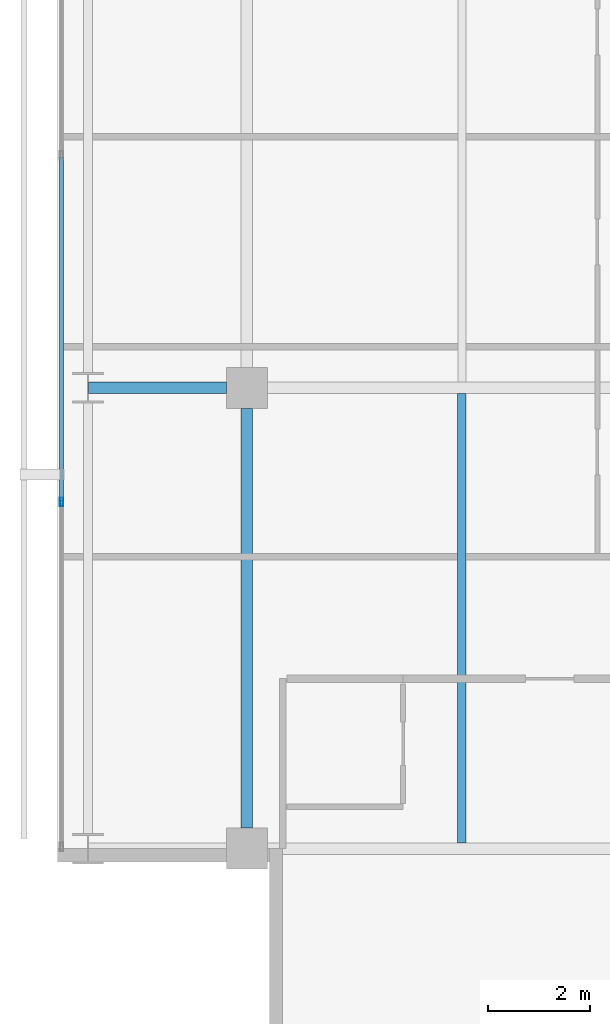
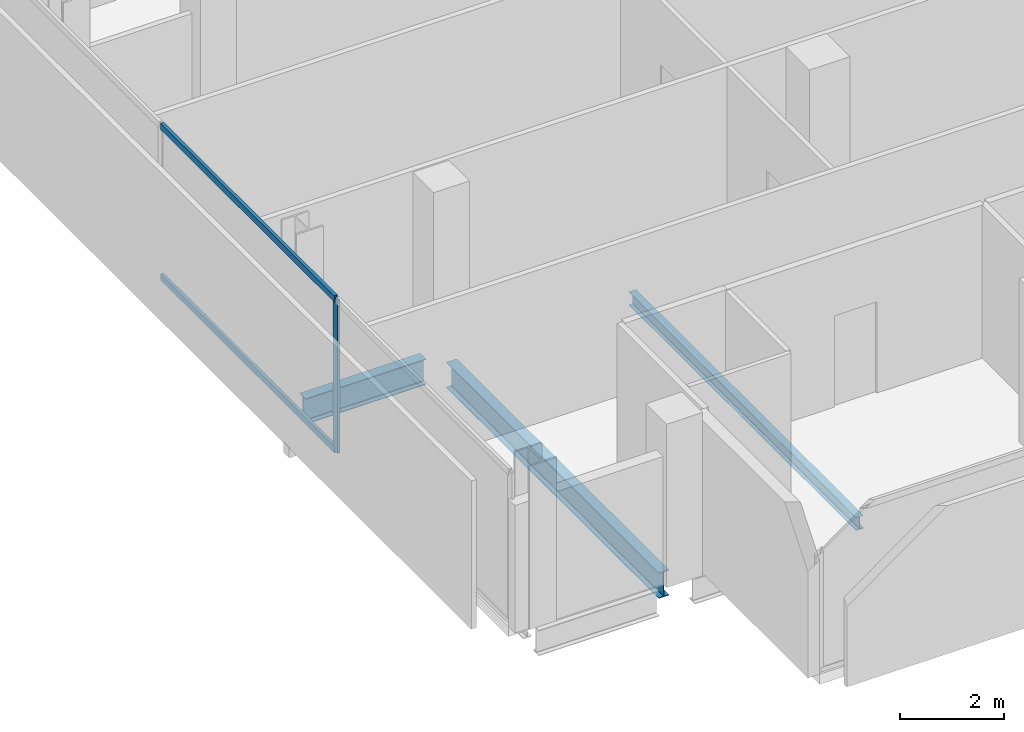
# One storey, part 4 of 34: 3 beams, 3 members, 1 element without a shape of its own.
"""IFC4 building model written with IfcOpenShell, lengths in metres."""

from ifc_helpers import new_model, si_unit, direction, frame, origin, origin_2d, place, context, subcontext, project, spatial, hollow_rectangle, i_section, extrude, material, layer, layer_set, material_profile, profile_set, type_object, element, aggregate, save


model = new_model("IFC4")

# Units and contexts
model_context = context("Model", 3, precision=1e-05, world=origin(), true_north=direction((0.0, 1.0)))
body_context = subcontext(model_context, "Body", "Model", "MODEL_VIEW")
ifc_project = project(units=[si_unit("LENGTHUNIT", "METRE"), si_unit("AREAUNIT", "SQUARE_METRE"), si_unit("VOLUMEUNIT", "CUBIC_METRE"), si_unit("PLANEANGLEUNIT", "RADIAN"), si_unit("MASSUNIT", "GRAM", prefix="KILO")], contexts=[model_context])

# Site, building, storey
site_placement = place(None, origin())
site = spatial("IfcSite", under=ifc_project, at=site_placement, CompositionType="ELEMENT")
building_placement = place(site_placement, origin())
building = spatial("IfcBuilding", under=site, at=building_placement, Name="Maruvema Waterfront Hotel and Observation Tower", CompositionType="ELEMENT")
storey_placement = place(building_placement, frame((0.0, 0.0, 181.300048828125)))
storey = spatial("IfcBuildingStorey", under=building, at=storey_placement, Name="L44", CompositionType="ELEMENT", Elevation=181.300048828125)

# Curtain wall, members
ifc_material_1 = material(Name="Anodised bronze aluminium and solar-control low-E IGU", Category="aluminium")
ifc_layer = layer(ifc_material_1, 0.159912109375, Name="Zone 2 Amber Inner Thermal Curtain Wall System CW-03")
ifc_layer_set = layer_set([ifc_layer], Name="Anodised bronze aluminium and solar-control low-E IGU")
curtain_wall_type = type_object("IfcCurtainWallType", Name="Zone 2 Amber Inner Thermal Curtain Wall System CW-03", PredefinedType="USERDEFINED", material=ifc_layer_set)
curtain_wall_placement = place(storey_placement, origin())
curtain_wall = element("IfcCurtainWall", 1, at=curtain_wall_placement, inside=storey, type_object=curtain_wall_type, Name="L44 Curtain Wall CW-L44-W", ObjectType="UNITISED CURTAIN WALL", PredefinedType="USERDEFINED")
ifc_material_2 = material(Name="Anodised architectural bronze aluminium", Category="aluminium")
ifc_material_profile_1 = material_profile(ifc_material_2, hollow_rectangle(XDim=0.070068359375, YDim=0.14990234375, WallThickness=0.00390625, at=origin_2d()), Name="ALU-T70x150")
ifc_profile_set_1 = profile_set([ifc_material_profile_1], Name="Anodised architectural bronze aluminium")
member_type_1 = type_object("IfcMemberType", Name="Curtain Wall Horizontal Transom ALU-T70x150", PredefinedType="USERDEFINED", material=ifc_profile_set_1)
member_1_placement = place(storey_placement, frame((13.179931640625, 22.50341796875, 0.030029296875), z_axis=(0.0, -1.0, 0.0), x_axis=(1.0, 0.0, 0.0)))
member_1 = element("IfcMember", 2, at=member_1_placement, type_object=member_type_1, Name="CW-03 transom 5.1", ObjectType="TRANSOM", PredefinedType="USERDEFINED", context=body_context, shape_type="SweptSolid", body=[
    extrude(hollow_rectangle(XDim=0.070068359375, YDim=0.14990234375, WallThickness=0.00390625, at=origin_2d()), origin(), (0.0, 0.0, 1.0), 6.706787109375),
])
member_2_placement = place(storey_placement, frame((13.179931640625, 22.50341796875, 3.579833984375), z_axis=(0.0, -1.0, 0.0), x_axis=(1.0, 0.0, 0.0)))
member_2 = element("IfcMember", 3, at=member_2_placement, type_object=member_type_1, Name="CW-03 transom 5.2", ObjectType="TRANSOM", PredefinedType="USERDEFINED", context=body_context, shape_type="SweptSolid", body=[
    extrude(hollow_rectangle(XDim=0.070068359375, YDim=0.14990234375, WallThickness=0.00390625, at=origin_2d()), origin(), (0.0, 0.0, 1.0), 6.706787109375),
])
ifc_material_3 = material(Name="Anodised architectural bronze aluminium", Category="aluminium")
ifc_material_profile_2 = material_profile(ifc_material_3, hollow_rectangle(XDim=0.06494140625, YDim=0.1650390625, WallThickness=0.00390625, at=origin_2d()), Name="ALU-M65x165")
ifc_profile_set_2 = profile_set([ifc_material_profile_2], Name="Anodised architectural bronze aluminium")
member_type_2 = type_object("IfcMemberType", Name="Curtain Wall Primary Mullion ALU-M65x165", PredefinedType="MULLION", material=ifc_profile_set_2)
member_3_placement = place(storey_placement, frame((13.179931640625, 15.7666015625, 0.0), z_axis=(0.0, 0.0, 1.0), x_axis=(1.0, 0.0, 0.0)))
member_3 = element("IfcMember", 4, at=member_3_placement, type_object=member_type_2, Name="CW-03 mullion 6", PredefinedType="MULLION", context=body_context, shape_type="SweptSolid", body=[
    extrude(hollow_rectangle(XDim=0.06494140625, YDim=0.1650390625, WallThickness=0.00390625, at=origin_2d()), origin(), (0.0, 0.0, 1.0), 3.60986328125),
])
aggregate(curtain_wall, [member_3, member_1, member_2])

# Beams
ifc_material_4 = material(Name="Steel ASTM A572 Grade 50", Category="steel")
ifc_material_profile_3 = material_profile(ifc_material_4, i_section(OverallWidth=0.22802734375, OverallDepth=0.60302734375, WebThickness=0.010498046875, FlangeThickness=0.014892578125, FilletRadius=0.01806640625, at=origin_2d()), Name="W610x101.0")
ifc_profile_set_3 = profile_set([ifc_material_profile_3], Name="Steel ASTM A572 Grade 50")
beam_type_1 = type_object("IfcBeamType", Name="Primary Floor Girder W610x101.0", PredefinedType="BEAM", material=ifc_profile_set_3)
beam_1_placement = place(storey_placement, frame((13.71240234375, 18.0, -0.54150390625), z_axis=(1.0, 0.0, 0.0), x_axis=(0.0, 1.0, 0.0)))
element("IfcBeam", 5, at=beam_1_placement, inside=storey, type_object=beam_type_1, Name="L44 Floor Girder EW-11", PredefinedType="BEAM", context=body_context, shape_type="SweptSolid", body=[
    extrude(i_section(OverallWidth=0.22802734375, OverallDepth=0.60302734375, WebThickness=0.010498046875, FlangeThickness=0.014892578125, FilletRadius=0.01806640625, at=origin_2d()), origin(), (0.0, 0.0, 1.0), 2.6875),
])
beam_2_placement = place(storey_placement, frame((16.800048828125, 9.39990234375, -0.54150390625), z_axis=(0.0, 1.0, 0.0), x_axis=(-1.0, 0.0, 0.0)))
element("IfcBeam", 6, at=beam_2_placement, inside=storey, type_object=beam_type_1, Name="L44 Floor Girder NS-05", PredefinedType="BEAM", context=body_context, shape_type="SweptSolid", body=[
    extrude(i_section(OverallWidth=0.22802734375, OverallDepth=0.60302734375, WebThickness=0.010498046875, FlangeThickness=0.014892578125, FilletRadius=0.01806640625, at=origin_2d()), origin(), (0.0, 0.0, 1.0), 8.2001953125),
])
ifc_material_5 = material(Name="Steel ASTM A572 Grade 50", Category="steel")
ifc_material_profile_4 = material_profile(ifc_material_5, i_section(OverallWidth=0.1650390625, OverallDepth=0.31005859375, WebThickness=0.005859375, FlangeThickness=0.009765625, FilletRadius=0.012939453125, at=origin_2d()), Name="W310x38.7")
ifc_profile_set_4 = profile_set([ifc_material_profile_4], Name="Steel ASTM A572 Grade 50")
beam_type_2 = type_object("IfcBeamType", Name="Secondary Floor Joist W310x38.7", PredefinedType="JOIST", material=ifc_profile_set_4)
beam_3_placement = place(storey_placement, frame((21.0, 9.114013671875, -0.39501953125), z_axis=(0.0, 1.0, 0.0), x_axis=(-1.0, 0.0, 0.0)))
element("IfcBeam", 7, at=beam_3_placement, inside=storey, type_object=beam_type_2, Name="L44 Secondary Floor Joist JS-01", PredefinedType="JOIST", context=body_context, shape_type="SweptSolid", body=[
    extrude(i_section(OverallWidth=0.1650390625, OverallDepth=0.31005859375, WebThickness=0.005859375, FlangeThickness=0.009765625, FilletRadius=0.012939453125, at=origin_2d()), origin(), (0.0, 0.0, 1.0), 8.77197265625),
])

save(model, "model.ifc")
